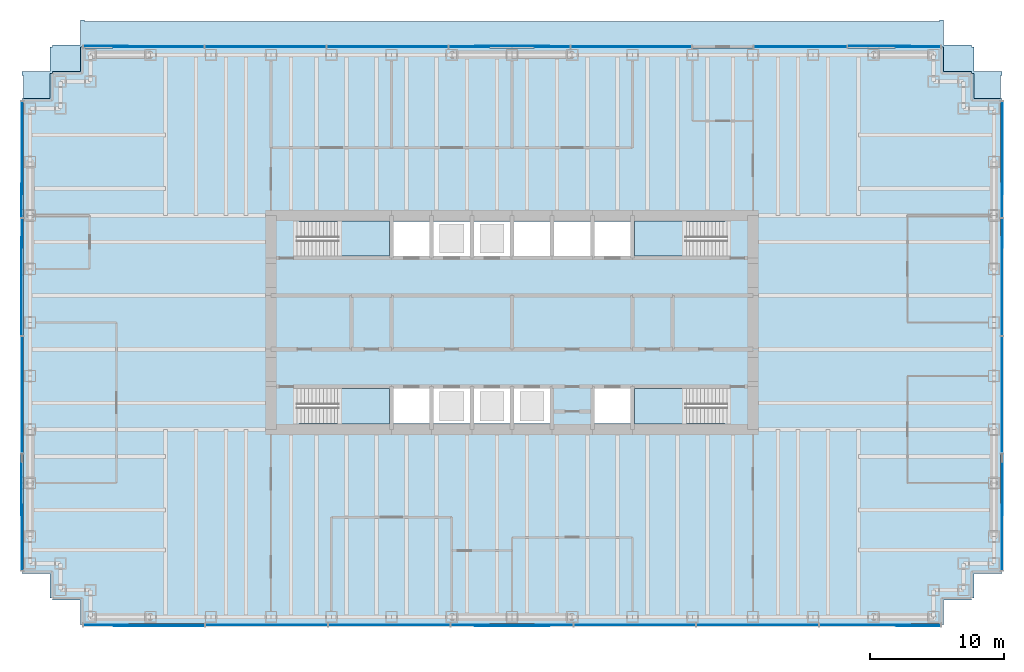
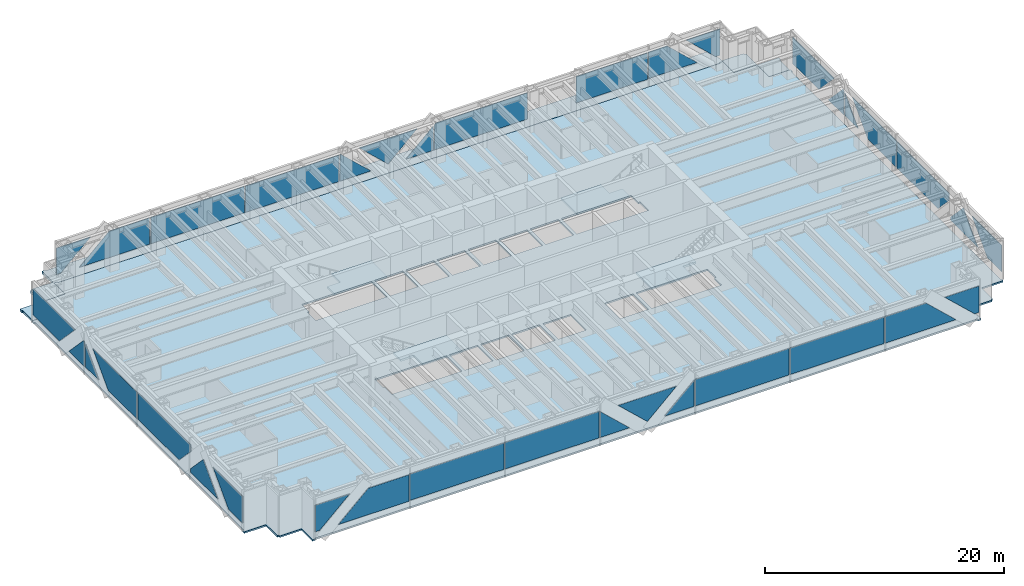
# One storey, part 6 of 14: 36 plates, 6 slabs, 9 elements without a shape of their own.
"""IFC4 building model written with IfcOpenShell, lengths in metres."""

from ifc_helpers import new_model, si_unit, direction, frame, origin, origin_2d, place, context, subcontext, project, spatial, polyline, rectangle, outline, extrude, material, layer, layer_set, type_object, element, aggregate, save


model = new_model("IFC4")

# Units and contexts
model_context = context("Model", 3, precision=1e-05, world=origin(), true_north=direction((0.0, 1.0)))
body_context = subcontext(model_context, "Body", "Model", "MODEL_VIEW")
ifc_project = project(units=[si_unit("LENGTHUNIT", "METRE"), si_unit("AREAUNIT", "SQUARE_METRE"), si_unit("VOLUMEUNIT", "CUBIC_METRE"), si_unit("PLANEANGLEUNIT", "RADIAN"), si_unit("MASSUNIT", "GRAM", prefix="KILO")], contexts=[model_context])

# Site, building, storey
site_placement = place(None, origin())
site = spatial("IfcSite", under=ifc_project, at=site_placement, CompositionType="ELEMENT")
building_placement = place(site_placement, origin())
building = spatial("IfcBuilding", under=site, at=building_placement, Name="Rheinbord Bourse Tower", CompositionType="ELEMENT")
storey_placement = place(building_placement, frame((0.0, 0.0, 185.800048828125)))
storey = spatial("IfcBuildingStorey", under=building, at=storey_placement, Name="L41", CompositionType="ELEMENT", Elevation=185.800048828125)

# Slab
ifc_material_1 = material(Name="Concrete C30/37", Category="concrete")
ifc_layer_1 = layer(ifc_material_1, 0.159912109375)
ifc_layer_set_1 = layer_set([ifc_layer_1], Name="COMPOSITE FLOOR SLAB 160")
slab_type_1 = type_object("IfcSlabType", Name="COMPOSITE FLOOR SLAB 160", PredefinedType="FLOOR", material=ifc_layer_set_1)
slab_1_placement = place(storey_placement, frame((0.0, 0.0, -0.16015625)))
element("IfcSlab", 1, at=slab_1_placement, inside=storey, type_object=slab_type_1, Name="Floor slab L41", PredefinedType="FLOOR", context=body_context, shape_type="SweptSolid", body=[
    extrude(outline(polyline([(1.64990234375, 3.39990234375), (1.5, 3.39990234375), (1.5, 5.25), (-0.60009765625, 5.25), (-0.60009765625, 5.550048828125), (-0.5, 5.550048828125), (-0.5, 40.449951171875), (-0.60009765625, 40.449951171875), (-0.60009765625, 40.75), (1.5, 40.75), (1.5, 42.60009765625), (1.64990234375, 42.60009765625), (1.64990234375, 42.75), (3.75, 42.75), (3.75, 44.60009765625), (4.050048828125, 44.60009765625), (4.050048828125, 44.5), (67.949951171875, 44.5), (67.949951171875, 44.60009765625), (68.25, 44.60009765625), (68.25, 42.75), (70.35009765625, 42.75), (70.35009765625, 42.60009765625), (70.5, 42.60009765625), (70.5, 40.75), (72.60009765625, 40.75), (72.60009765625, 40.449951171875), (72.5, 40.449951171875), (72.5, 5.550048828125), (72.60009765625, 5.550048828125), (72.60009765625, 5.25), (70.5, 5.25), (70.5, 3.39990234375), (70.35009765625, 3.39990234375), (70.35009765625, 3.25), (68.25, 3.25), (68.25, 1.39990234375), (67.949951171875, 1.39990234375), (67.949951171875, 1.5), (4.050048828125, 1.5), (4.050048828125, 1.39990234375), (3.75, 1.39990234375), (3.75, 3.25), (1.64990234375, 3.25), (1.64990234375, 3.39990234375)]), holes=[polyline([(19.949951171875, 19.050048828125), (26.85009765625, 19.050048828125), (26.85009765625, 16.449951171875), (20.10009765625, 16.449951171875), (20.10009765625, 17.64990234375), (19.949951171875, 17.64990234375), (19.949951171875, 19.050048828125)]), polyline([(26.85009765625, 31.550048828125), (26.85009765625, 28.949951171875), (19.949951171875, 28.949951171875), (19.949951171875, 30.35009765625), (20.10009765625, 30.35009765625), (20.10009765625, 31.550048828125), (26.85009765625, 31.550048828125)]), polyline([(45.14990234375, 16.449951171875), (45.14990234375, 19.050048828125), (52.050048828125, 19.050048828125), (52.050048828125, 17.64990234375), (51.89990234375, 17.64990234375), (51.89990234375, 16.449951171875), (45.14990234375, 16.449951171875)]), polyline([(52.050048828125, 28.949951171875), (45.14990234375, 28.949951171875), (45.14990234375, 31.550048828125), (51.89990234375, 31.550048828125), (51.89990234375, 30.35009765625), (52.050048828125, 30.35009765625), (52.050048828125, 28.949951171875)]), polyline([(27.14990234375, 16.449951171875), (27.14990234375, 19.050048828125), (29.85009765625, 19.050048828125), (29.85009765625, 16.449951171875), (27.14990234375, 16.449951171875)]), polyline([(27.14990234375, 28.949951171875), (27.14990234375, 31.550048828125), (29.85009765625, 31.550048828125), (29.85009765625, 28.949951171875), (27.14990234375, 28.949951171875)]), polyline([(30.14990234375, 16.449951171875), (30.14990234375, 19.050048828125), (32.85009765625, 19.050048828125), (32.85009765625, 16.449951171875), (30.14990234375, 16.449951171875)]), polyline([(30.14990234375, 28.949951171875), (30.14990234375, 31.550048828125), (32.85009765625, 31.550048828125), (32.85009765625, 28.949951171875), (30.14990234375, 28.949951171875)]), polyline([(33.14990234375, 16.449951171875), (33.14990234375, 19.050048828125), (35.85009765625, 19.050048828125), (35.85009765625, 16.449951171875), (33.14990234375, 16.449951171875)]), polyline([(33.14990234375, 28.949951171875), (33.14990234375, 31.550048828125), (35.85009765625, 31.550048828125), (35.85009765625, 28.949951171875), (33.14990234375, 28.949951171875)]), polyline([(36.14990234375, 16.449951171875), (36.14990234375, 19.050048828125), (38.85009765625, 19.050048828125), (38.85009765625, 16.449951171875), (36.14990234375, 16.449951171875)]), polyline([(36.14990234375, 28.949951171875), (36.14990234375, 31.550048828125), (38.85009765625, 31.550048828125), (38.85009765625, 28.949951171875), (36.14990234375, 28.949951171875)]), polyline([(39.14990234375, 28.949951171875), (39.14990234375, 31.550048828125), (41.85009765625, 31.550048828125), (41.85009765625, 28.949951171875), (39.14990234375, 28.949951171875)]), polyline([(42.14990234375, 16.449951171875), (42.14990234375, 19.050048828125), (44.85009765625, 19.050048828125), (44.85009765625, 16.449951171875), (42.14990234375, 16.449951171875)]), polyline([(42.14990234375, 28.949951171875), (42.14990234375, 31.550048828125), (44.85009765625, 31.550048828125), (44.85009765625, 28.949951171875), (42.14990234375, 28.949951171875)])]), origin(), (0.0, 0.0, 1.0), 0.16015625),
])

# Curtain wall, plates
ifc_material_2 = material(Name="Dark glass and black aluminium", Category="aluminium")
curtain_wall_type = type_object("IfcCurtainWallType", Name="CW6 DARK GLASS CURTAIN WALL", PredefinedType="USERDEFINED", material=ifc_material_2)
curtain_wall_1_placement = place(storey_placement, origin())
curtain_wall_1 = element("IfcCurtainWall", 2, at=curtain_wall_1_placement, inside=storey, type_object=curtain_wall_type, Name="Curtain wall CW6 S L41", ObjectType="UNITISED CURTAIN WALL", PredefinedType="USERDEFINED")
ifc_material_3 = material(Name="Dark tinted triple insulating glass", Category="glass")
ifc_layer_2 = layer(ifc_material_3, 0.050048828125)
ifc_layer_set_2 = layer_set([ifc_layer_2], Name="CW6 DARK GLASS PANEL")
plate_type = type_object("IfcPlateType", Name="CW6 DARK GLASS PANEL", PredefinedType="CURTAIN_PANEL", material=ifc_layer_set_2)
plate_1_placement = place(storey_placement, frame((17.6572265625, 1.39990234375, 0.75), z_axis=(0.0, 0.0, 1.0), x_axis=(1.0, 0.0, 0.0)))
plate_1 = element("IfcPlate", 3, at=plate_1_placement, type_object=plate_type, Name="CW6 panel 2.1", PredefinedType="CURTAIN_PANEL", context=body_context, shape_type="SweptSolid", body=[
    extrude(rectangle(XDim=9.071533203125, YDim=0.050048828125, at=origin_2d()), origin(), (0.0, 0.0, 1.0), 2.699951171875),
])
plate_2_placement = place(storey_placement, frame((26.82861328125, 1.39990234375, 0.75), z_axis=(0.0, 0.0, 1.0), x_axis=(1.0, 0.0, 0.0)))
plate_2 = element("IfcPlate", 4, at=plate_2_placement, type_object=plate_type, Name="CW6 panel 3.1", PredefinedType="CURTAIN_PANEL", context=body_context, shape_type="SweptSolid", body=[
    extrude(rectangle(XDim=9.071533203125, YDim=0.050048828125, at=origin_2d()), origin(), (0.0, 0.0, 1.0), 2.699951171875),
])
plate_3_placement = place(storey_placement, frame((45.17138671875, 1.39990234375, 0.75), z_axis=(0.0, 0.0, 1.0), x_axis=(1.0, 0.0, 0.0)))
plate_3 = element("IfcPlate", 5, at=plate_3_placement, type_object=plate_type, Name="CW6 panel 5.1", PredefinedType="CURTAIN_PANEL", context=body_context, shape_type="SweptSolid", body=[
    extrude(rectangle(XDim=9.071533203125, YDim=0.050048828125, at=origin_2d()), origin(), (0.0, 0.0, 1.0), 2.699951171875),
])
plate_4_placement = place(storey_placement, frame((54.3427734375, 1.39990234375, 0.75), z_axis=(0.0, 0.0, 1.0), x_axis=(1.0, 0.0, 0.0)))
plate_4 = element("IfcPlate", 6, at=plate_4_placement, type_object=plate_type, Name="CW6 panel 6.1", PredefinedType="CURTAIN_PANEL", context=body_context, shape_type="SweptSolid", body=[
    extrude(rectangle(XDim=9.071533203125, YDim=0.050048828125, at=origin_2d()), origin(), (0.0, 0.0, 1.0), 2.699951171875),
])
plate_5_placement = place(storey_placement, frame((4.0, 1.375, 0.75), z_axis=(0.0, 1.0, 0.0), x_axis=(0.0, 0.0, 1.0)))
plate_5 = element("IfcPlate", 7, at=plate_5_placement, type_object=plate_type, Name="CW6 glass facet 1", PredefinedType="CURTAIN_PANEL", context=body_context, shape_type="SweptSolid", body=[
    extrude(outline(polyline([(0.0, 0.0), (2.699951171875, 0.0), (2.699951171875, 3.31005859375), (0.0, 0.4169921875), (0.0, 0.0)])), origin(), (0.0, 0.0, 1.0), 0.050048828125),
])
plate_6_placement = place(storey_placement, frame((13.02099609375, 1.31982421875, 3.449951171875), z_axis=(0.0, 1.0, 0.0), x_axis=(0.0, 0.0, -1.0)))
plate_6 = element("IfcPlate", 8, at=plate_6_placement, type_object=plate_type, Name="CW6 glass facet 2", PredefinedType="CURTAIN_PANEL", context=body_context, shape_type="SweptSolid", body=[
    extrude(outline(polyline([(0.0, 0.0), (2.699951171875, 0.0), (2.699951171875, 6.8310546875), (0.0, 3.93798828125), (0.0, 0.0)])), origin(), (0.0, 0.0, 1.0), 0.050048828125),
])
plate_7_placement = place(storey_placement, frame((31.464111328125, 1.375, 0.75), z_axis=(0.0, 1.0, 0.0), x_axis=(0.0, 0.0, 1.0)))
plate_7 = element("IfcPlate", 9, at=plate_7_placement, type_object=plate_type, Name="CW6 glass facet 1", PredefinedType="CURTAIN_PANEL", context=body_context, shape_type="SweptSolid", body=[
    extrude(outline(polyline([(0.0, 0.0), (2.656005859375, 0.0), (0.0, 2.845947265625), (0.0, 0.0)])), origin(), (0.0, 0.0, 1.0), 0.050048828125),
])
plate_8_placement = place(storey_placement, frame((38.81005859375, 1.31982421875, 3.449951171875), z_axis=(0.0, 1.0, 0.0), x_axis=(-0.731139757637, 0.0, -0.682227714772)))
plate_8 = element("IfcPlate", 10, at=plate_8_placement, type_object=plate_type, Name="CW6 glass facet 2", PredefinedType="CURTAIN_PANEL", context=body_context, shape_type="SweptSolid", body=[
    extrude(outline(polyline([(0.0, 0.0), (3.843505859375, 0.0), (4.109130859375, 3.834228515625), (0.0, 0.0)])), origin(), (0.0, 0.0, 1.0), 0.050048828125),
])
plate_9_placement = place(storey_placement, frame((40.535888671875, 1.375, 0.75), z_axis=(0.0, 1.0, 0.0), x_axis=(-1.0, 0.0, 0.0)))
plate_9 = element("IfcPlate", 11, at=plate_9_placement, type_object=plate_type, Name="CW6 glass facet 3", PredefinedType="CURTAIN_PANEL", context=body_context, shape_type="SweptSolid", body=[
    extrude(outline(polyline([(0.0, 0.0), (2.845947265625, 0.0), (0.0, 2.656005859375), (0.0, 0.0)])), origin(), (0.0, 0.0, 1.0), 0.050048828125),
])
plate_10_placement = place(storey_placement, frame((58.97900390625, 1.375, 0.75), z_axis=(0.0, 1.0, 0.0), x_axis=(0.0, 0.0, 1.0)))
plate_10 = element("IfcPlate", 12, at=plate_10_placement, type_object=plate_type, Name="CW6 glass facet 1", PredefinedType="CURTAIN_PANEL", context=body_context, shape_type="SweptSolid", body=[
    extrude(outline(polyline([(0.0, 0.0), (2.699951171875, 0.0), (2.699951171875, 3.93798828125), (0.0, 6.8310546875), (0.0, 0.0)])), origin(), (0.0, 0.0, 1.0), 0.050048828125),
])
plate_11_placement = place(storey_placement, frame((68.0, 1.31982421875, 3.449951171875), z_axis=(0.0, 1.0, 0.0), x_axis=(0.0, 0.0, -1.0)))
plate_11 = element("IfcPlate", 13, at=plate_11_placement, type_object=plate_type, Name="CW6 glass facet 2", PredefinedType="CURTAIN_PANEL", context=body_context, shape_type="SweptSolid", body=[
    extrude(outline(polyline([(0.0, 0.0), (2.699951171875, 0.0), (2.699951171875, 0.4169921875), (0.0, 3.31005859375), (0.0, 0.0)])), origin(), (0.0, 0.0, 1.0), 0.050048828125),
])
aggregate(curtain_wall_1, [plate_1, plate_2, plate_3, plate_4, plate_5, plate_6, plate_7, plate_8, plate_9, plate_10, plate_11])

curtain_wall_2_placement = place(storey_placement, origin())
curtain_wall_2 = element("IfcCurtainWall", 14, at=curtain_wall_2_placement, inside=storey, type_object=curtain_wall_type, Name="Curtain wall CW6 E L41", ObjectType="UNITISED CURTAIN WALL", PredefinedType="USERDEFINED")
plate_12_placement = place(storey_placement, frame((72.625, 5.5, 0.75), z_axis=(-1.0, 0.0, 0.0), x_axis=(0.0, 0.0, 1.0)))
plate_12 = element("IfcPlate", 15, at=plate_12_placement, type_object=plate_type, Name="CW6 glass facet 1", PredefinedType="CURTAIN_PANEL", context=body_context, shape_type="SweptSolid", body=[
    extrude(outline(polyline([(0.0, 0.0), (2.699951171875, 0.0), (2.699951171875, 4.949951171875), (0.0, 2.37890625), (0.0, 0.0)])), origin(), (0.0, 0.0, 1.0), 0.050048828125),
])
plate_13_placement = place(storey_placement, frame((72.68017578125, 14.14990234375, 0.75), z_axis=(-1.0, 0.0, 0.0), x_axis=(0.0, -1.0, 0.0)))
plate_13 = element("IfcPlate", 16, at=plate_13_placement, type_object=plate_type, Name="CW6 glass facet 2", PredefinedType="CURTAIN_PANEL", context=body_context, shape_type="SweptSolid", body=[
    extrude(outline(polyline([(0.0, 0.0), (4.599853515625, 0.0), (2.14990234375, 2.572998046875), (0.0, 0.31494140625), (0.0, 0.0)])), origin(), (0.0, 0.0, 1.0), 0.050048828125),
])
plate_14_placement = place(storey_placement, frame((72.625, 14.25, 3.449951171875), z_axis=(-1.0, 0.0, 0.0), x_axis=(0.0, 1.0, 0.0)))
plate_14 = element("IfcPlate", 17, at=plate_14_placement, type_object=plate_type, Name="CW6 glass facet 1", PredefinedType="CURTAIN_PANEL", context=body_context, shape_type="SweptSolid", body=[
    extrude(outline(polyline([(0.0, 0.0), (8.699951171875, 0.0), (8.699951171875, 2.699951171875), (1.87109375, 2.699951171875), (0.0, 0.735107421875), (0.0, 0.0)])), origin(), (0.0, 0.0, 1.0), 0.050048828125),
])
plate_15_placement = place(storey_placement, frame((72.625, 23.050048828125, 0.75), z_axis=(-1.0, 0.0, 0.0), x_axis=(0.0, 0.0, 1.0)))
plate_15 = element("IfcPlate", 18, at=plate_15_placement, type_object=plate_type, Name="CW6 glass facet 1", PredefinedType="CURTAIN_PANEL", context=body_context, shape_type="SweptSolid", body=[
    extrude(outline(polyline([(0.0, 0.0), (2.699951171875, 0.0), (2.699951171875, 7.39990234375), (0.0, 4.828857421875), (0.0, 0.0)])), origin(), (0.0, 0.0, 1.0), 0.050048828125),
])
plate_16_placement = place(storey_placement, frame((72.68017578125, 31.75, 0.75), z_axis=(-1.0, 0.0, 0.0), x_axis=(0.0, -1.0, 0.0)))
plate_16 = element("IfcPlate", 19, at=plate_16_placement, type_object=plate_type, Name="CW6 glass facet 2", PredefinedType="CURTAIN_PANEL", context=body_context, shape_type="SweptSolid", body=[
    extrude(outline(polyline([(0.0, 0.0), (2.199951171875, 0.0), (0.0, 2.31005859375), (0.0, 0.0)])), origin(), (0.0, 0.0, 1.0), 0.050048828125),
])
plate_17_placement = place(storey_placement, frame((72.625, 31.85009765625, 0.75), z_axis=(-1.0, 0.0, 0.0), x_axis=(0.0, 0.0, 1.0)))
plate_17 = element("IfcPlate", 20, at=plate_17_placement, type_object=plate_type, Name="CW6 glass facet 1", PredefinedType="CURTAIN_PANEL", context=body_context, shape_type="SweptSolid", body=[
    extrude(outline(polyline([(0.0, 0.0), (2.4150390625, 0.0), (2.572998046875, 0.14990234375), (0.0, 2.599853515625), (0.0, 0.0)])), origin(), (0.0, 0.0, 1.0), 0.050048828125),
])
plate_18_placement = place(storey_placement, frame((72.68017578125, 40.5, 3.449951171875), z_axis=(-1.0, 0.0, 0.0), x_axis=(0.0, 0.0, -1.0)))
plate_18 = element("IfcPlate", 21, at=plate_18_placement, type_object=plate_type, Name="CW6 glass facet 2", PredefinedType="CURTAIN_PANEL", context=body_context, shape_type="SweptSolid", body=[
    extrude(outline(polyline([(0.0, 0.0), (2.699951171875, 0.0), (2.699951171875, 4.37890625), (0.0, 6.949951171875), (0.0, 0.0)])), origin(), (0.0, 0.0, 1.0), 0.050048828125),
])
aggregate(curtain_wall_2, [plate_12, plate_13, plate_14, plate_15, plate_16, plate_17, plate_18])

curtain_wall_3_placement = place(storey_placement, origin())
curtain_wall_3 = element("IfcCurtainWall", 22, at=curtain_wall_3_placement, inside=storey, type_object=curtain_wall_type, Name="Curtain wall CW6 N L41", ObjectType="UNITISED CURTAIN WALL", PredefinedType="USERDEFINED")
plate_19_placement = place(storey_placement, frame((57.550048828125, 44.60009765625, 0.75), z_axis=(0.0, 0.0, 1.0), x_axis=(-1.0, 0.0, 0.0)))
plate_19 = element("IfcPlate", 23, at=plate_19_placement, type_object=plate_type, Name="CW6 panel 2.1", PredefinedType="CURTAIN_PANEL", context=body_context, shape_type="SweptSolid", body=[
    extrude(rectangle(XDim=6.89990234375, YDim=0.050048828125, at=origin_2d()), origin(), (0.0, 0.0, 1.0), 2.699951171875),
])
plate_20_placement = place(storey_placement, frame((68.0, 44.625, 0.75), z_axis=(0.0, -1.0, 0.0), x_axis=(0.0, 0.0, 1.0)))
plate_20 = element("IfcPlate", 24, at=plate_20_placement, type_object=plate_type, Name="CW6 glass facet 1", PredefinedType="CURTAIN_PANEL", context=body_context, shape_type="SweptSolid", body=[
    extrude(outline(polyline([(0.0, 0.0), (2.699951171875, 0.0), (2.699951171875, 3.31005859375), (0.0, 0.4169921875), (0.0, 0.0)])), origin(), (0.0, 0.0, 1.0), 0.050048828125),
])
plate_21_placement = place(storey_placement, frame((61.10009765625, 44.68017578125, 3.449951171875), z_axis=(0.0, -1.0, 0.0), x_axis=(0.0, 0.0, -1.0)))
plate_21 = element("IfcPlate", 25, at=plate_21_placement, type_object=plate_type, Name="CW6 glass facet 2", PredefinedType="CURTAIN_PANEL", context=body_context, shape_type="SweptSolid", body=[
    extrude(outline(polyline([(0.0, 0.0), (2.699951171875, 0.0), (2.699951171875, 4.7099609375), (0.0, 1.81689453125), (0.0, 0.0)])), origin(), (0.0, 0.0, 1.0), 0.050048828125),
])
aggregate(curtain_wall_3, [plate_19, plate_20, plate_21])

curtain_wall_4_placement = place(storey_placement, origin())
curtain_wall_4 = element("IfcCurtainWall", 26, at=curtain_wall_4_placement, inside=storey, type_object=curtain_wall_type, Name="Curtain wall CW6 N L41", ObjectType="UNITISED CURTAIN WALL", PredefinedType="USERDEFINED")
plate_22_placement = place(storey_placement, frame((26.699951171875, 44.60009765625, 0.75), z_axis=(0.0, 0.0, 1.0), x_axis=(-1.0, 0.0, 0.0)))
plate_22 = element("IfcPlate", 27, at=plate_22_placement, type_object=plate_type, Name="CW6 panel 3.1", PredefinedType="CURTAIN_PANEL", context=body_context, shape_type="SweptSolid", body=[
    extrude(rectangle(XDim=9.02001953125, YDim=0.050048828125, at=origin_2d()), origin(), (0.0, 0.0, 1.0), 2.699951171875),
])
plate_23_placement = place(storey_placement, frame((17.580078125, 44.60009765625, 0.75), z_axis=(0.0, 0.0, 1.0), x_axis=(-1.0, 0.0, 0.0)))
plate_23 = element("IfcPlate", 28, at=plate_23_placement, type_object=plate_type, Name="CW6 panel 4.1", PredefinedType="CURTAIN_PANEL", context=body_context, shape_type="SweptSolid", body=[
    extrude(rectangle(XDim=9.02001953125, YDim=0.050048828125, at=origin_2d()), origin(), (0.0, 0.0, 1.0), 2.699951171875),
])
plate_24_placement = place(storey_placement, frame((40.429931640625, 44.625, 0.75), z_axis=(0.0, -1.0, 0.0), x_axis=(1.0, 0.0, 0.0)))
plate_24 = element("IfcPlate", 29, at=plate_24_placement, type_object=plate_type, Name="CW6 glass facet 1", PredefinedType="CURTAIN_PANEL", context=body_context, shape_type="SweptSolid", body=[
    extrude(outline(polyline([(0.0, 0.0), (8.969970703125, 0.0), (8.969970703125, 2.699951171875), (0.153076171875, 2.699951171875), (0.0, 2.556884765625), (0.0, 0.0)])), origin(), (0.0, 0.0, 1.0), 0.050048828125),
])
plate_25_placement = place(storey_placement, frame((40.330078125, 44.625, 0.75), z_axis=(0.0, -1.0, 0.0), x_axis=(0.0, 0.0, 1.0)))
plate_25 = element("IfcPlate", 30, at=plate_25_placement, type_object=plate_type, Name="CW6 glass facet 1", PredefinedType="CURTAIN_PANEL", context=body_context, shape_type="SweptSolid", body=[
    extrude(outline(polyline([(0.0, 0.0), (2.4638671875, 0.0), (0.0, 2.64013671875), (0.0, 0.0)])), origin(), (0.0, 0.0, 1.0), 0.050048828125),
])
plate_26_placement = place(storey_placement, frame((33.18994140625, 44.68017578125, 3.449951171875), z_axis=(0.0, -1.0, 0.0), x_axis=(0.731139757637, 0.0, -0.682227714772)))
plate_26 = element("IfcPlate", 31, at=plate_26_placement, type_object=plate_type, Name="CW6 glass facet 2", PredefinedType="CURTAIN_PANEL", context=body_context, shape_type="SweptSolid", body=[
    extrude(outline(polyline([(0.0, 0.0), (3.843505859375, 0.0), (4.109130859375, 3.834228515625), (0.0, 0.0)])), origin(), (0.0, 0.0, 1.0), 0.050048828125),
])
plate_27_placement = place(storey_placement, frame((31.31005859375, 44.625, 3.449951171875), z_axis=(0.0, -1.0, 0.0), x_axis=(0.0, 0.0, -1.0)))
plate_27 = element("IfcPlate", 32, at=plate_27_placement, type_object=plate_type, Name="CW6 glass facet 3", PredefinedType="CURTAIN_PANEL", context=body_context, shape_type="SweptSolid", body=[
    extrude(outline(polyline([(0.0, 0.0), (2.699951171875, 0.0), (2.699951171875, 3.0), (0.0, 0.10693359375), (0.0, 0.0)])), origin(), (0.0, 0.0, 1.0), 0.050048828125),
])
plate_28_placement = place(storey_placement, frame((12.969970703125, 44.625, 0.75), z_axis=(0.0, -1.0, 0.0), x_axis=(0.0, 0.0, 1.0)))
plate_28 = element("IfcPlate", 33, at=plate_28_placement, type_object=plate_type, Name="CW6 glass facet 1", PredefinedType="CURTAIN_PANEL", context=body_context, shape_type="SweptSolid", body=[
    extrude(outline(polyline([(0.0, 0.0), (2.699951171875, 0.0), (2.699951171875, 3.886962890625), (0.0, 6.780029296875), (0.0, 0.0)])), origin(), (0.0, 0.0, 1.0), 0.050048828125),
])
plate_29_placement = place(storey_placement, frame((4.0, 44.68017578125, 3.449951171875), z_axis=(0.0, -1.0, 0.0), x_axis=(0.0, 0.0, -1.0)))
plate_29 = element("IfcPlate", 34, at=plate_29_placement, type_object=plate_type, Name="CW6 glass facet 2", PredefinedType="CURTAIN_PANEL", context=body_context, shape_type="SweptSolid", body=[
    extrude(outline(polyline([(0.0, 0.0), (2.699951171875, 0.0), (2.699951171875, 0.4169921875), (0.0, 3.31005859375), (0.0, 0.0)])), origin(), (0.0, 0.0, 1.0), 0.050048828125),
])
aggregate(curtain_wall_4, [plate_22, plate_23, plate_24, plate_25, plate_26, plate_27, plate_28, plate_29])

curtain_wall_5_placement = place(storey_placement, origin())
curtain_wall_5 = element("IfcCurtainWall", 35, at=curtain_wall_5_placement, inside=storey, type_object=curtain_wall_type, Name="Curtain wall CW6 W L41", ObjectType="UNITISED CURTAIN WALL", PredefinedType="USERDEFINED")
plate_30_placement = place(storey_placement, frame((-0.625, 40.5, 0.75), z_axis=(1.0, 0.0, 0.0), x_axis=(0.0, 0.0, 1.0)))
plate_30 = element("IfcPlate", 36, at=plate_30_placement, type_object=plate_type, Name="CW6 glass facet 1", PredefinedType="CURTAIN_PANEL", context=body_context, shape_type="SweptSolid", body=[
    extrude(outline(polyline([(0.0, 0.0), (2.699951171875, 0.0), (2.699951171875, 6.949951171875), (0.0, 4.37890625), (0.0, 0.0)])), origin(), (0.0, 0.0, 1.0), 0.050048828125),
])
plate_31_placement = place(storey_placement, frame((-0.68017578125, 31.85009765625, 0.75), z_axis=(1.0, 0.0, 0.0), x_axis=(0.0, 1.0, 0.0)))
plate_31 = element("IfcPlate", 37, at=plate_31_placement, type_object=plate_type, Name="CW6 glass facet 2", PredefinedType="CURTAIN_PANEL", context=body_context, shape_type="SweptSolid", body=[
    extrude(outline(polyline([(0.0, 0.0), (2.599853515625, 0.0), (0.14990234375, 2.572998046875), (0.0, 2.4150390625), (0.0, 0.0)])), origin(), (0.0, 0.0, 1.0), 0.050048828125),
])
plate_32_placement = place(storey_placement, frame((-0.625, 31.75, 0.75), z_axis=(1.0, 0.0, 0.0), x_axis=(0.0, 0.0, 1.0)))
plate_32 = element("IfcPlate", 38, at=plate_32_placement, type_object=plate_type, Name="CW6 glass facet 1", PredefinedType="CURTAIN_PANEL", context=body_context, shape_type="SweptSolid", body=[
    extrude(outline(polyline([(0.0, 0.0), (2.31005859375, 0.0), (0.0, 2.199951171875), (0.0, 0.0)])), origin(), (0.0, 0.0, 1.0), 0.050048828125),
])
plate_33_placement = place(storey_placement, frame((-0.68017578125, 23.050048828125, 3.449951171875), z_axis=(1.0, 0.0, 0.0), x_axis=(0.0, 0.0, -1.0)))
plate_33 = element("IfcPlate", 39, at=plate_33_placement, type_object=plate_type, Name="CW6 glass facet 2", PredefinedType="CURTAIN_PANEL", context=body_context, shape_type="SweptSolid", body=[
    extrude(outline(polyline([(0.0, 0.0), (2.699951171875, 0.0), (2.699951171875, 4.828857421875), (0.0, 7.39990234375), (0.0, 0.0)])), origin(), (0.0, 0.0, 1.0), 0.050048828125),
])
plate_34_placement = place(storey_placement, frame((-0.625, 22.949951171875, 0.75), z_axis=(1.0, 0.0, 0.0), x_axis=(0.0, 0.0, 1.0)))
plate_34 = element("IfcPlate", 40, at=plate_34_placement, type_object=plate_type, Name="CW6 glass facet 1", PredefinedType="CURTAIN_PANEL", context=body_context, shape_type="SweptSolid", body=[
    extrude(outline(polyline([(0.0, 0.0), (2.699951171875, 0.0), (2.699951171875, 8.699951171875), (1.96484375, 8.699951171875), (0.0, 6.828857421875), (0.0, 0.0)])), origin(), (0.0, 0.0, 1.0), 0.050048828125),
])
plate_35_placement = place(storey_placement, frame((-0.68017578125, 14.14990234375, 0.75), z_axis=(1.0, 0.0, 0.0), x_axis=(0.0, 0.0, 1.0)))
plate_35 = element("IfcPlate", 41, at=plate_35_placement, type_object=plate_type, Name="CW6 glass facet 2", PredefinedType="CURTAIN_PANEL", context=body_context, shape_type="SweptSolid", body=[
    extrude(outline(polyline([(0.0, 0.0), (0.31494140625, 0.0), (2.572998046875, 2.14990234375), (0.0, 4.599853515625), (0.0, 0.0)])), origin(), (0.0, 0.0, 1.0), 0.050048828125),
])
plate_36_placement = place(storey_placement, frame((-0.625, 5.5, 3.449951171875), z_axis=(1.0, 0.0, 0.0), x_axis=(0.0, 0.0, -1.0)))
plate_36 = element("IfcPlate", 42, at=plate_36_placement, type_object=plate_type, Name="CW6 glass facet 3", PredefinedType="CURTAIN_PANEL", context=body_context, shape_type="SweptSolid", body=[
    extrude(outline(polyline([(0.0, 0.0), (2.699951171875, 0.0), (2.699951171875, 2.37890625), (0.0, 4.949951171875), (0.0, 0.0)])), origin(), (0.0, 0.0, 1.0), 0.050048828125),
])
aggregate(curtain_wall_5, [plate_30, plate_31, plate_32, plate_33, plate_34, plate_35, plate_36])

# Slab
ifc_material_4 = material(Name="Concrete C30/37", Category="concrete")
ifc_layer_3 = layer(ifc_material_4, 0.25)
ifc_layer_set_3 = layer_set([ifc_layer_3], Name="ROOF SLAB 250")
slab_type_2 = type_object("IfcSlabType", Name="ROOF SLAB 250", PredefinedType="ROOF", material=ifc_layer_set_3)
slab_2_placement = place(storey_placement, frame((0.0, 0.0, -0.25)))
element("IfcSlab", 43, at=slab_2_placement, inside=storey, type_object=slab_type_2, Name="Setback roof L40 part 3 (maintenance access only)", PredefinedType="ROOF", context=body_context, shape_type="SweptSolid", body=[
    extrude(outline(polyline([(-0.5, 42.449951171875), (-0.60009765625, 42.449951171875), (-0.60009765625, 42.75), (1.5, 42.75), (1.5, 44.60009765625), (1.64990234375, 44.60009765625), (1.64990234375, 44.75), (3.75, 44.75), (3.75, 46.60009765625), (4.050048828125, 46.60009765625), (4.050048828125, 46.5), (67.949951171875, 46.5), (67.949951171875, 46.60009765625), (68.25, 46.60009765625), (68.25, 44.75), (70.35009765625, 44.75), (70.35009765625, 44.60009765625), (70.5, 44.60009765625), (70.5, 42.75), (72.60009765625, 42.75), (72.60009765625, 42.449951171875), (72.5, 42.449951171875), (72.5, 40.75), (70.5, 40.75), (70.5, 42.60009765625), (70.35009765625, 42.60009765625), (70.35009765625, 42.75), (68.25, 42.75), (68.25, 44.60009765625), (68.10009765625, 44.60009765625), (68.0, 44.60009765625), (67.949951171875, 44.60009765625), (67.949951171875, 44.5), (4.050048828125, 44.5), (4.050048828125, 44.60009765625), (4.0, 44.60009765625), (3.89990234375, 44.60009765625), (3.75, 44.60009765625), (3.75, 42.75), (1.64990234375, 42.75), (1.64990234375, 42.60009765625), (1.5, 42.60009765625), (1.5, 40.75), (-0.5, 40.75), (-0.5, 42.449951171875)])), origin(), (0.0, 0.0, 1.0), 0.25),
])

# Stair, slab
ifc_material_5 = material(Name="Concrete C30/37", Category="concrete")
stair_type = type_object("IfcStairType", Name="CORE STAIR HALF TURN 4200", PredefinedType="HALF_TURN_STAIR", material=ifc_material_5)
stair_1_placement = place(storey_placement, origin())
stair_1 = element("IfcStair", 44, at=stair_1_placement, inside=storey, type_object=stair_type, Name="Stair ST1 L41, type CS6", PredefinedType="HALF_TURN_STAIR")
ifc_material_6 = material(Name="Concrete C30/37", Category="concrete")
ifc_layer_4 = layer(ifc_material_6, 0.199951171875)
ifc_layer_set_4 = layer_set([ifc_layer_4], Name="STAIR LANDING 200")
slab_type_3 = type_object("IfcSlabType", Name="STAIR LANDING 200", PredefinedType="LANDING", material=ifc_layer_set_4)
slab_3_placement = place(storey_placement, frame((0.0, 0.0, 1.89990234375)))
slab_3 = element("IfcSlab", 45, at=slab_3_placement, type_object=slab_type_3, Name="Half landing ST1 L41", PredefinedType="LANDING", context=body_context, shape_type="SweptSolid", body=[
    extrude(outline(polyline([(23.030029296875, 16.39990234375), (26.85009765625, 16.39990234375), (26.85009765625, 19.050048828125), (21.748046875, 19.050048828125), (21.748046875, 17.85009765625), (23.030029296875, 17.85009765625), (23.030029296875, 16.39990234375)])), origin(), (0.0, 0.0, 1.0), 0.199951171875),
])
aggregate(stair_1, [slab_3])

stair_2_placement = place(storey_placement, origin())
stair_2 = element("IfcStair", 46, at=stair_2_placement, inside=storey, type_object=stair_type, Name="Stair ST2 L41, type CS6", PredefinedType="HALF_TURN_STAIR")
slab_4_placement = place(storey_placement, frame((0.0, 0.0, 1.89990234375)))
slab_4 = element("IfcSlab", 47, at=slab_4_placement, type_object=slab_type_3, Name="Half landing ST2 L41", PredefinedType="LANDING", context=body_context, shape_type="SweptSolid", body=[
    extrude(outline(polyline([(21.748046875, 28.949951171875), (26.85009765625, 28.949951171875), (26.85009765625, 31.60009765625), (23.030029296875, 31.60009765625), (23.030029296875, 30.14990234375), (21.748046875, 30.14990234375), (21.748046875, 28.949951171875)])), origin(), (0.0, 0.0, 1.0), 0.199951171875),
])
aggregate(stair_2, [slab_4])

stair_3_placement = place(storey_placement, origin())
stair_3 = element("IfcStair", 48, at=stair_3_placement, inside=storey, type_object=stair_type, Name="Stair ST3 L41, type CS6", PredefinedType="HALF_TURN_STAIR")
slab_5_placement = place(storey_placement, frame((0.0, 0.0, 1.89990234375)))
slab_5 = element("IfcSlab", 49, at=slab_5_placement, type_object=slab_type_3, Name="Half landing ST3 L41", PredefinedType="LANDING", context=body_context, shape_type="SweptSolid", body=[
    extrude(outline(polyline([(45.14990234375, 16.39990234375), (48.969970703125, 16.39990234375), (48.969970703125, 17.85009765625), (50.251953125, 17.85009765625), (50.251953125, 19.050048828125), (45.14990234375, 19.050048828125), (45.14990234375, 16.39990234375)])), origin(), (0.0, 0.0, 1.0), 0.199951171875),
])
aggregate(stair_3, [slab_5])

stair_4_placement = place(storey_placement, origin())
stair_4 = element("IfcStair", 50, at=stair_4_placement, inside=storey, type_object=stair_type, Name="Stair ST4 L41, type CS6", PredefinedType="HALF_TURN_STAIR")
slab_6_placement = place(storey_placement, frame((0.0, 0.0, 1.89990234375)))
slab_6 = element("IfcSlab", 51, at=slab_6_placement, type_object=slab_type_3, Name="Half landing ST4 L41", PredefinedType="LANDING", context=body_context, shape_type="SweptSolid", body=[
    extrude(outline(polyline([(45.14990234375, 28.949951171875), (50.251953125, 28.949951171875), (50.251953125, 30.14990234375), (48.969970703125, 30.14990234375), (48.969970703125, 31.60009765625), (45.14990234375, 31.60009765625), (45.14990234375, 28.949951171875)])), origin(), (0.0, 0.0, 1.0), 0.199951171875),
])
aggregate(stair_4, [slab_6])

save(model, "model.ifc")
